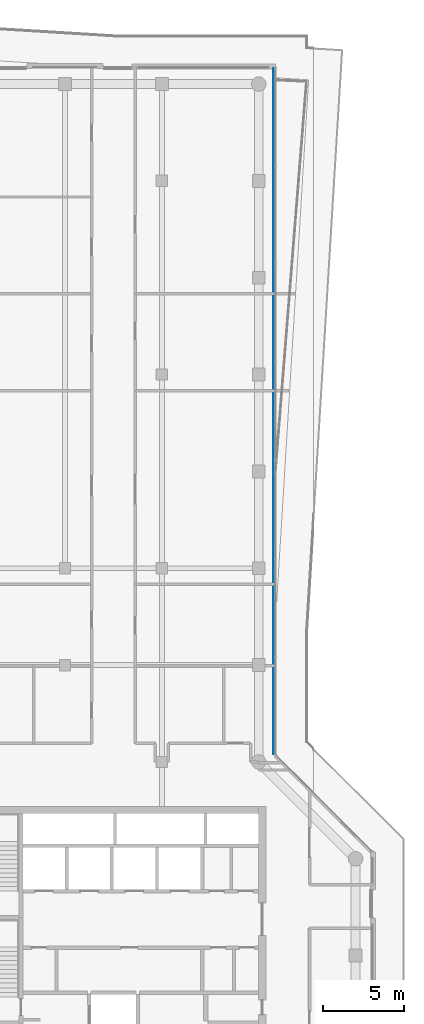
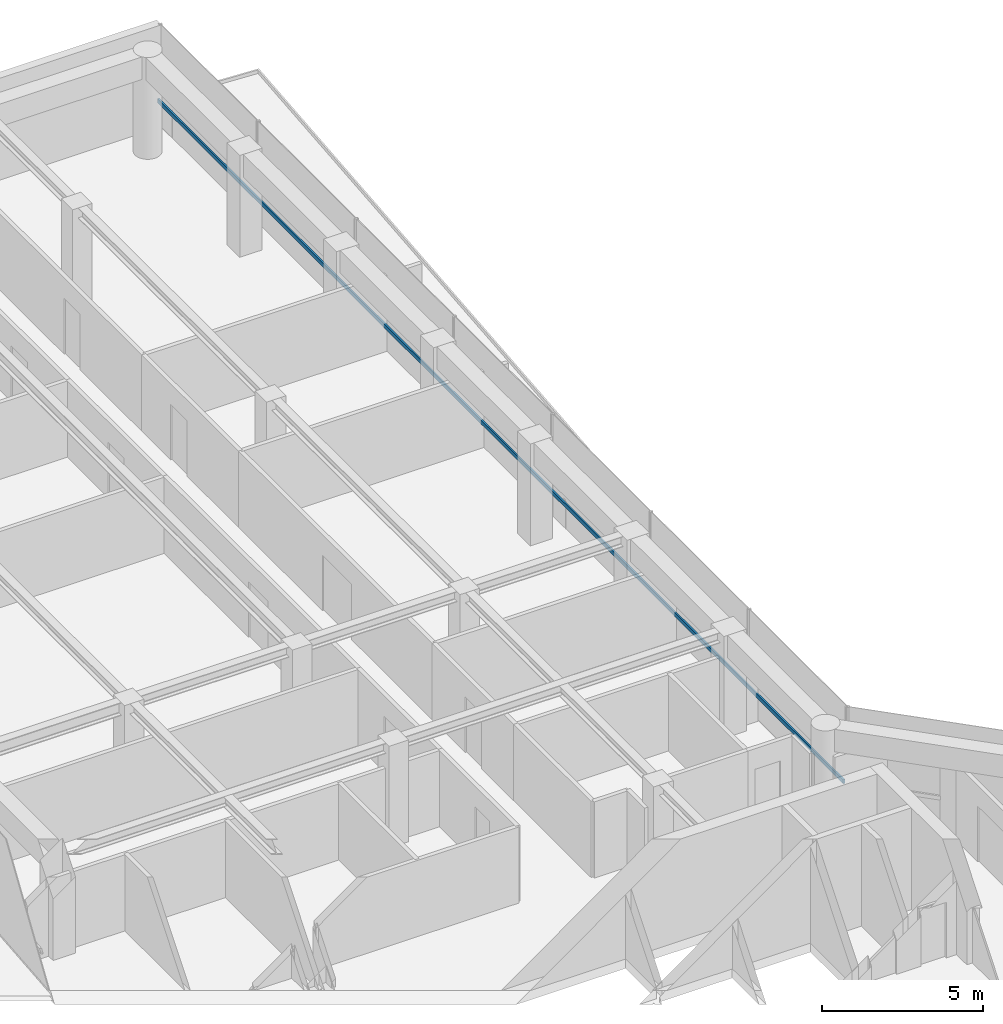
# One storey, part 9 of 19: 1 member, 1 element without a shape of its own.
"""IFC4 building model written with IfcOpenShell, lengths in metres."""

from ifc_helpers import new_model, si_unit, direction, frame, origin, origin_2d, place, context, subcontext, project, spatial, rectangle, extrude, material, layer, layer_set, material_profile, profile_set, type_object, element, aggregate, save


model = new_model("IFC4")

# Units and contexts
model_context = context("Model", 3, precision=1e-05, world=origin(), true_north=direction((0.0, 1.0)))
body_context = subcontext(model_context, "Body", "Model", "MODEL_VIEW")
ifc_project = project(units=[si_unit("LENGTHUNIT", "METRE"), si_unit("AREAUNIT", "SQUARE_METRE"), si_unit("VOLUMEUNIT", "CUBIC_METRE"), si_unit("PLANEANGLEUNIT", "RADIAN"), si_unit("MASSUNIT", "GRAM", prefix="KILO")], contexts=[model_context])

# Site, building, storey
site_placement = place(None, origin())
site = spatial("IfcSite", under=ifc_project, at=site_placement, CompositionType="ELEMENT")
building_placement = place(site_placement, origin())
building = spatial("IfcBuilding", under=site, at=building_placement, Name="Welwitschia Terrace Campus", CompositionType="ELEMENT")
storey_placement = place(building_placement, frame((0.0, 0.0, 243.199951171875)))
storey = spatial("IfcBuildingStorey", under=building, at=storey_placement, Name="L54", CompositionType="ELEMENT", Elevation=243.199951171875)

# Curtain wall, member
ifc_material_1 = material(Name="Bronze anodised aluminium", Category="aluminium")
ifc_layer = layer(ifc_material_1, 0.1201171875)
ifc_layer_set = layer_set([ifc_layer], Name="Bronze anodised aluminium")
curtain_wall_type = type_object("IfcCurtainWallType", Name="Curtain wall CW2 tower 6000", PredefinedType="NOTDEFINED", material=ifc_layer_set)
curtain_wall_placement = place(storey_placement, origin())
curtain_wall = element("IfcCurtainWall", 1, at=curtain_wall_placement, inside=storey, type_object=curtain_wall_type, Name="CW L54.6.0", PredefinedType="NOTDEFINED")
ifc_material_2 = material(Name="Bronze anodised aluminium", Category="aluminium")
ifc_material_profile = material_profile(ifc_material_2, rectangle(XDim=0.06005859375, YDim=0.14990234375, at=origin_2d()))
ifc_profile_set = profile_set([ifc_material_profile], Name="Bronze anodised aluminium")
member_type = type_object("IfcMemberType", Name="Transom 60x150", PredefinedType="USERDEFINED", material=ifc_profile_set)
member_placement = place(storey_placement, frame((24.93994140625, 28.486572265625, 1.0), z_axis=(0.0, 1.0, 0.0), x_axis=(-1.0, 0.0, 0.0)))
member = element("IfcMember", 2, at=member_placement, type_object=member_type, Name="Transom L54.6.0", ObjectType="TRANSOM", PredefinedType="USERDEFINED", context=body_context, shape_type="SweptSolid", body=[
    extrude(rectangle(XDim=0.06005859375, YDim=0.14990234375, at=origin_2d()), origin(), (0.0, 0.0, 1.0), 42.4833984375),
])
aggregate(curtain_wall, [member])

save(model, "model.ifc")
